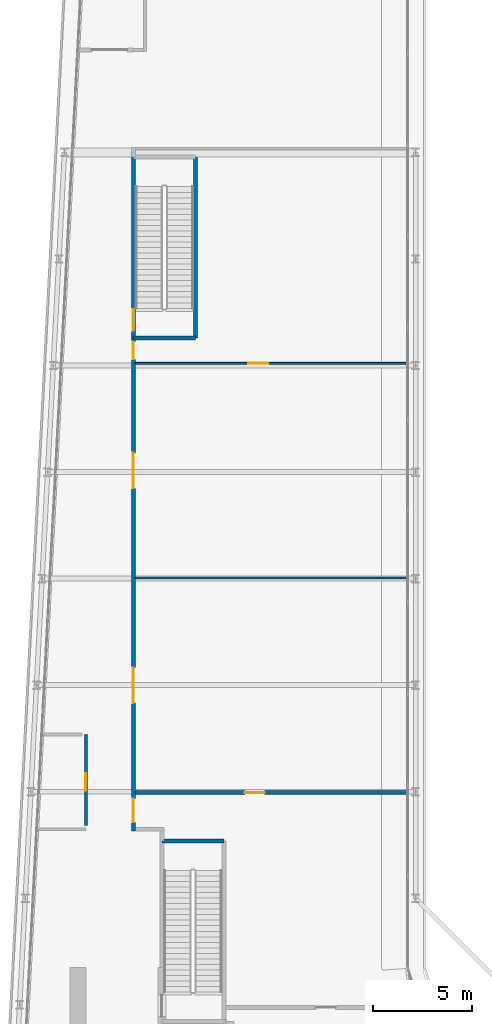
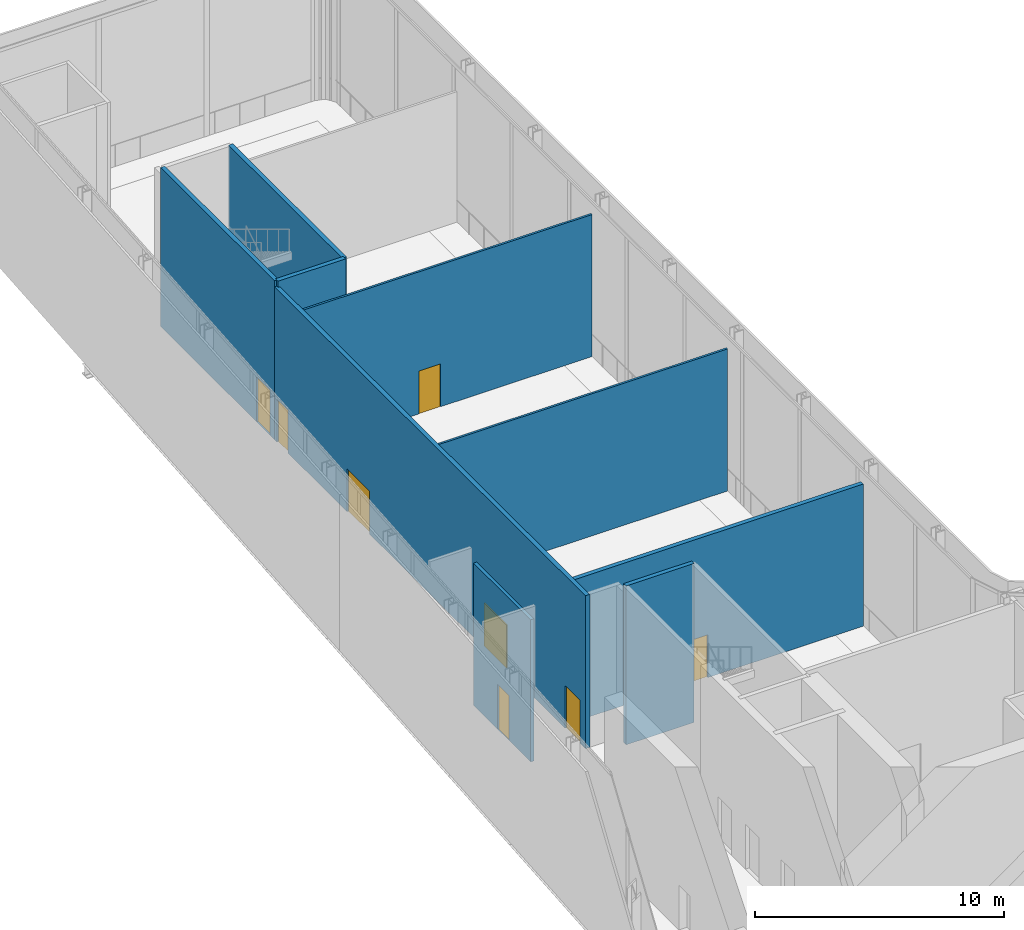
# One storey, part 28 of 37: 9 walls, 8 doors, 8 openings.
"""IFC4 building model written with IfcOpenShell, lengths in metres."""

from ifc_helpers import new_model, si_unit, direction, frame, frame_2d, origin, place, context, subcontext, project, spatial, rectangle, extrude, source, transform, mapped, material, layer, layer_set, type_object, element, fill, save


model = new_model("IFC4")

# Units and contexts
model_context = context("Model", 3, precision=1e-05, world=origin(), true_north=direction((0.0, 1.0)))
body_context = subcontext(model_context, "Body", "Model", "MODEL_VIEW")
ifc_project = project(units=[si_unit("LENGTHUNIT", "METRE"), si_unit("AREAUNIT", "SQUARE_METRE"), si_unit("VOLUMEUNIT", "CUBIC_METRE"), si_unit("PLANEANGLEUNIT", "RADIAN"), si_unit("MASSUNIT", "GRAM", prefix="KILO")], contexts=[model_context])

# Site, building, storey
site_placement = place(None, origin())
site = spatial("IfcSite", under=ifc_project, at=site_placement, CompositionType="ELEMENT")
building_placement = place(site_placement, origin())
building = spatial("IfcBuilding", under=site, at=building_placement, Name="Kheshtan School and Residences Tower", CompositionType="ELEMENT")
storey_placement = place(building_placement, frame((0.0, 0.0, 144.800048828125)))
storey = spatial("IfcBuildingStorey", under=building, at=storey_placement, Name="L34", CompositionType="ELEMENT", Elevation=144.800048828125)

# Wall, openings, doors
ifc_material_1 = material(Name="Gypsum board on steel studs with fire boards", Category="steel")
ifc_layer_1 = layer(ifc_material_1, 0.199951171875)
ifc_layer_set_1 = layer_set([ifc_layer_1], Name="Corridor wall 200")
wall_type_1 = type_object("IfcWallType", Name="Corridor wall 200", PredefinedType="PARTITIONING", material=ifc_layer_set_1)
wall_1_placement = place(storey_placement, frame((33.300048828125, 54.39990234375, 0.0), z_axis=(0.0, 0.0, 1.0), x_axis=(0.0, 1.0, 0.0)))
wall_1 = element("IfcWall", 1, at=wall_1_placement, inside=storey, type_object=wall_type_1, Name="Partition L34-003", PredefinedType="PARTITIONING", context=body_context, shape_type="SweptSolid", body=[
    extrude(rectangle(XDim=25.0, YDim=0.199951171875, at=frame_2d((12.5, 0.0))), origin(), (0.0, 0.0, 1.0), 7.5),
])
opening_1_placement = place(wall_1_placement, frame((0.449951171875, 0.0, 0.0)))
opening_1 = element("IfcOpeningElement", 2, at=opening_1_placement, cuts=wall_1, Name="Opening D34-007", PredefinedType="OPENING", context=body_context, shape_type="SweptSolid", body=[
    extrude(rectangle(XDim=1.199951171875, YDim=2.10009765625, at=frame_2d((0.60009765625, 1.050048828125))), frame((0.0, 0.10986328125, 0.0), z_axis=(0.0, -1.0, 0.0), x_axis=(1.0, 0.0, 0.0)), (0.0, 0.0, 1.0), 0.219970703125),
])
opening_2_placement = place(wall_1_placement, frame((6.492919921875, 0.0, 0.0)))
opening_2 = element("IfcOpeningElement", 3, at=opening_2_placement, cuts=wall_1, Name="Opening D34-010", PredefinedType="OPENING", context=body_context, shape_type="SweptSolid", body=[
    extrude(rectangle(XDim=1.800048828125, YDim=2.10009765625, at=frame_2d((0.89990234375, 1.050048828125))), frame((0.0, 0.10986328125, 0.0), z_axis=(0.0, -1.0, 0.0), x_axis=(1.0, 0.0, 0.0)), (0.0, 0.0, 1.0), 0.219970703125),
])
opening_3_placement = place(wall_1_placement, frame((17.3720703125, 0.0, 0.0)))
opening_3 = element("IfcOpeningElement", 4, at=opening_3_placement, cuts=wall_1, Name="Opening D34-011", PredefinedType="OPENING", context=body_context, shape_type="SweptSolid", body=[
    extrude(rectangle(XDim=1.800048828125, YDim=2.10009765625, at=frame_2d((0.89990234375, 1.050048828125))), frame((0.0, 0.10986328125, 0.0), z_axis=(0.0, -1.0, 0.0), x_axis=(1.0, 0.0, 0.0)), (0.0, 0.0, 1.0), 0.219970703125),
])
opening_4_placement = place(wall_1_placement, frame((23.912109375, 0.0, 0.0)))
opening_4 = element("IfcOpeningElement", 5, at=opening_4_placement, cuts=wall_1, Name="Opening D34-014", PredefinedType="OPENING", context=body_context, shape_type="SweptSolid", body=[
    extrude(rectangle(XDim=0.89990234375, YDim=2.10009765625, at=frame_2d((0.449951171875, 1.050048828125))), frame((0.0, 0.10986328125, 0.0), z_axis=(0.0, -1.0, 0.0), x_axis=(1.0, 0.0, 0.0)), (0.0, 0.0, 1.0), 0.219970703125),
])
ifc_material_2 = material(Name="Steel-framed fire-resisting door leaf", Category="steel")
door_type_1 = type_object("IfcDoorType", Name="Fire double door FD60 1800 x 2100", OperationType="DOUBLE_DOOR_SINGLE_SWING", PredefinedType="DOOR", material=ifc_material_2)
shared_shape_1 = source(origin(), body_context, "Body", "SweptSolid", [
    extrude(rectangle(XDim=1.800048828125, YDim=2.10009765625, at=frame_2d((0.89990234375, 1.050048828125))), frame((0.0, 0.02490234375, 0.0), z_axis=(0.0, -1.0, 0.0), x_axis=(1.0, 0.0, 0.0)), (0.0, 0.0, 1.0), 0.050048828125),
])
door_1_placement = place(opening_2_placement, origin())
door_1 = element("IfcDoor", 6, at=door_1_placement, inside=storey, type_object=door_type_1, Name="Door D34-010", OperationType="DOUBLE_DOOR_SINGLE_SWING", OverallHeight=2.10009765625, OverallWidth=1.800048828125, PredefinedType="DOOR", context=body_context, shape_type="MappedRepresentation", body=[
    mapped(shared_shape_1, transform((0.0, 0.0, 0.0), x_axis=(1.0, 0.0, 0.0), y_axis=(0.0, 1.0, 0.0), z_axis=(0.0, 0.0, 1.0), scale=1.0)),
])
fill(opening_2, door_1)
door_2_placement = place(opening_3_placement, origin())
door_2 = element("IfcDoor", 7, at=door_2_placement, inside=storey, type_object=door_type_1, Name="Door D34-011", OperationType="DOUBLE_DOOR_SINGLE_SWING", OverallHeight=2.10009765625, OverallWidth=1.800048828125, PredefinedType="DOOR", context=body_context, shape_type="MappedRepresentation", body=[
    mapped(shared_shape_1, transform((0.0, 0.0, 0.0), x_axis=(1.0, 0.0, 0.0), y_axis=(0.0, 1.0, 0.0), z_axis=(0.0, 0.0, 1.0), scale=1.0)),
])
fill(opening_3, door_2)
door_type_2 = type_object("IfcDoorType", Name="Fire door FD60 1200 x 2100", OperationType="SINGLE_SWING_LEFT", PredefinedType="DOOR", material=ifc_material_2)
shared_shape_2 = source(origin(), body_context, "Body", "SweptSolid", [
    extrude(rectangle(XDim=1.199951171875, YDim=2.10009765625, at=frame_2d((0.60009765625, 1.050048828125))), frame((0.0, 0.02490234375, 0.0), z_axis=(0.0, -1.0, 0.0), x_axis=(1.0, 0.0, 0.0)), (0.0, 0.0, 1.0), 0.050048828125),
])
door_3_placement = place(opening_1_placement, origin())
door_3 = element("IfcDoor", 8, at=door_3_placement, inside=storey, type_object=door_type_2, Name="Door D34-007", OperationType="SINGLE_SWING_LEFT", OverallHeight=2.10009765625, OverallWidth=1.199951171875, PredefinedType="DOOR", context=body_context, shape_type="MappedRepresentation", body=[
    mapped(shared_shape_2, transform((0.0, 0.0, 0.0), x_axis=(1.0, 0.0, 0.0), y_axis=(0.0, 1.0, 0.0), z_axis=(0.0, 0.0, 1.0), scale=1.0)),
])
fill(opening_1, door_3)
door_type_3 = type_object("IfcDoorType", Name="Fire door FD60 900 x 2100", OperationType="SINGLE_SWING_LEFT", PredefinedType="DOOR", material=ifc_material_2)
shared_shape_3 = source(origin(), body_context, "Body", "SweptSolid", [
    extrude(rectangle(XDim=0.89990234375, YDim=2.10009765625, at=frame_2d((0.449951171875, 1.050048828125))), frame((0.0, 0.02490234375, 0.0), z_axis=(0.0, -1.0, 0.0), x_axis=(1.0, 0.0, 0.0)), (0.0, 0.0, 1.0), 0.050048828125),
])
door_4_placement = place(opening_4_placement, origin())
door_4 = element("IfcDoor", 9, at=door_4_placement, inside=storey, type_object=door_type_3, Name="Door D34-014", OperationType="SINGLE_SWING_LEFT", OverallHeight=2.10009765625, OverallWidth=0.89990234375, PredefinedType="DOOR", context=body_context, shape_type="MappedRepresentation", body=[
    mapped(shared_shape_3, transform((0.0, 0.0, 0.0), x_axis=(1.0, 0.0, 0.0), y_axis=(0.0, 1.0, 0.0), z_axis=(0.0, 0.0, 1.0), scale=1.0)),
])
fill(opening_4, door_4)

# Wall, opening, door
wall_2_placement = place(storey_placement, frame((33.39990234375, 56.35302734375, 0.0), z_axis=(0.0, 0.0, 1.0), x_axis=(1.0, 0.0, 0.0)))
wall_2 = element("IfcWall", 10, at=wall_2_placement, inside=storey, type_object=wall_type_1, Name="Partition L34-007", PredefinedType="PARTITIONING", context=body_context, shape_type="SweptSolid", body=[
    extrude(rectangle(XDim=13.77001953125, YDim=0.199951171875, at=frame_2d((6.885009765625, 0.0))), origin(), (0.0, 0.0, 1.0), 6.971923828125),
])
opening_5_placement = place(wall_2_placement, frame((5.550048828125, 0.0, 0.0)))
opening_5 = element("IfcOpeningElement", 11, at=opening_5_placement, cuts=wall_2, Name="Opening D34-006", PredefinedType="OPENING", context=body_context, shape_type="SweptSolid", body=[
    extrude(rectangle(XDim=1.0, YDim=2.10009765625, at=frame_2d((0.5, 1.050048828125))), frame((0.0, 0.10986328125, 0.0), z_axis=(0.0, -1.0, 0.0), x_axis=(1.0, 0.0, 0.0)), (0.0, 0.0, 1.0), 0.219970703125),
])
door_type_4 = type_object("IfcDoorType", Name="Fire door FD60 1000 x 2100", OperationType="SINGLE_SWING_LEFT", PredefinedType="DOOR", material=ifc_material_2)
shared_shape_4 = source(origin(), body_context, "Body", "SweptSolid", [
    extrude(rectangle(XDim=1.0, YDim=2.10009765625, at=frame_2d((0.5, 1.050048828125))), frame((0.0, 0.02490234375, 0.0), z_axis=(0.0, -1.0, 0.0), x_axis=(1.0, 0.0, 0.0)), (0.0, 0.0, 1.0), 0.050048828125),
])
door_5_placement = place(opening_5_placement, origin())
door_5 = element("IfcDoor", 12, at=door_5_placement, inside=storey, type_object=door_type_4, Name="Door D34-006", OperationType="SINGLE_SWING_LEFT", OverallHeight=2.10009765625, OverallWidth=1.0, PredefinedType="DOOR", context=body_context, shape_type="MappedRepresentation", body=[
    mapped(shared_shape_4, transform((0.0, 0.0, 0.0), x_axis=(1.0, 0.0, 0.0), y_axis=(0.0, 1.0, 0.0), z_axis=(0.0, 0.0, 1.0), scale=1.0)),
])
fill(opening_5, door_5)

# Wall
ifc_material_3 = material(Name="Gypsum board on steel studs", Category="steel")
ifc_layer_2 = layer(ifc_material_3, 0.10009765625)
ifc_layer_set_2 = layer_set([ifc_layer_2], Name="Gypsum partition 100")
wall_type_2 = type_object("IfcWallType", Name="Gypsum partition 100", PredefinedType="PARTITIONING", material=ifc_layer_set_2)
wall_3_placement = place(storey_placement, frame((33.39990234375, 67.23193359375, 0.0), z_axis=(0.0, 0.0, 1.0), x_axis=(1.0, 0.0, 0.0)))
element("IfcWall", 13, at=wall_3_placement, inside=storey, type_object=wall_type_2, Name="Partition L34-008", PredefinedType="PARTITIONING", context=body_context, shape_type="SweptSolid", body=[
    extrude(rectangle(XDim=13.77001953125, YDim=0.10009765625, at=frame_2d((6.885009765625, 0.0))), origin(), (0.0, 0.0, 1.0), 6.971923828125),
])

# Wall, opening, door
wall_4_placement = place(storey_placement, frame((33.39990234375, 78.112060546875, 0.0), z_axis=(0.0, 0.0, 1.0), x_axis=(1.0, 0.0, 0.0)))
wall_4 = element("IfcWall", 14, at=wall_4_placement, inside=storey, type_object=wall_type_2, Name="Partition L34-009", PredefinedType="PARTITIONING", context=body_context, shape_type="SweptSolid", body=[
    extrude(rectangle(XDim=13.77001953125, YDim=0.10009765625, at=frame_2d((6.885009765625, 0.0))), origin(), (0.0, 0.0, 1.0), 6.971923828125),
])
opening_6_placement = place(wall_4_placement, frame((5.72998046875, 0.0, 0.0)))
opening_6 = element("IfcOpeningElement", 15, at=opening_6_placement, cuts=wall_4, Name="Opening D34-013", PredefinedType="OPENING", context=body_context, shape_type="SweptSolid", body=[
    extrude(rectangle(XDim=1.0, YDim=2.10009765625, at=frame_2d((0.5, 1.050048828125))), frame((0.0, 0.06005859375, 0.0), z_axis=(0.0, -1.0, 0.0), x_axis=(1.0, 0.0, 0.0)), (0.0, 0.0, 1.0), 0.1201171875),
])
ifc_material_4 = material(Name="Veneered timber door leaf", Category="wood")
door_type_5 = type_object("IfcDoorType", Name="Door 1000 x 2100", OperationType="SINGLE_SWING_LEFT", PredefinedType="DOOR", material=ifc_material_4)
shared_shape_5 = source(origin(), body_context, "Body", "SweptSolid", [
    extrude(rectangle(XDim=1.0, YDim=2.10009765625, at=frame_2d((0.5, 1.050048828125))), frame((0.0, 0.02490234375, 0.0), z_axis=(0.0, -1.0, 0.0), x_axis=(1.0, 0.0, 0.0)), (0.0, 0.0, 1.0), 0.050048828125),
])
door_6_placement = place(opening_6_placement, origin())
door_6 = element("IfcDoor", 16, at=door_6_placement, inside=storey, type_object=door_type_5, Name="Door D34-013", OperationType="SINGLE_SWING_LEFT", OverallHeight=2.10009765625, OverallWidth=1.0, PredefinedType="DOOR", context=body_context, shape_type="MappedRepresentation", body=[
    mapped(shared_shape_5, transform((0.0, 0.0, 0.0), x_axis=(1.0, 0.0, 0.0), y_axis=(0.0, 1.0, 0.0), z_axis=(0.0, 0.0, 1.0), scale=1.0)),
])
fill(opening_6, door_6)

ifc_material_5 = material(Name="Fire-board shaft wall system")
ifc_layer_3 = layer(ifc_material_5, 0.14990234375)
ifc_layer_set_3 = layer_set([ifc_layer_3], Name="Service room wall 150")
wall_type_3 = type_object("IfcWallType", Name="Service room wall 150", PredefinedType="PARTITIONING", material=ifc_layer_set_3)
wall_5_placement = place(storey_placement, frame((30.89990234375, 54.695068359375, 0.0), z_axis=(0.0, 0.0, 1.0), x_axis=(0.0, 1.0, 0.0)))
wall_5 = element("IfcWall", 17, at=wall_5_placement, inside=storey, type_object=wall_type_3, Name="Service room wall", PredefinedType="PARTITIONING", context=body_context, shape_type="SweptSolid", body=[
    extrude(rectangle(XDim=4.594970703125, YDim=0.14990234375, at=frame_2d((2.29736328125, 0.0))), origin(), (0.0, 0.0, 1.0), 6.971923828125),
])
opening_7_placement = place(wall_5_placement, frame((1.75, 0.0, 0.0)))
opening_7 = element("IfcOpeningElement", 18, at=opening_7_placement, cuts=wall_5, Name="Opening SR90", PredefinedType="OPENING", context=body_context, shape_type="SweptSolid", body=[
    extrude(rectangle(XDim=0.89990234375, YDim=2.199951171875, at=frame_2d((0.449951171875, 1.10009765625))), frame((0.0, 0.0849609375, 0.0), z_axis=(0.0, -1.0, 0.0), x_axis=(1.0, 0.0, 0.0)), (0.0, 0.0, 1.0), 0.169921875),
])
ifc_material_6 = material(Name="Steel door leaf, galvanised", Category="steel")
door_type_6 = type_object("IfcDoorType", Name="Service room door 900 steel 90 min", OperationType="SINGLE_SWING_LEFT", PredefinedType="DOOR", material=ifc_material_6)
shared_shape_6 = source(origin(), body_context, "Body", "SweptSolid", [
    extrude(rectangle(XDim=0.89990234375, YDim=2.199951171875, at=frame_2d((0.449951171875, 1.10009765625))), frame((0.0, 0.02490234375, 0.0), z_axis=(0.0, -1.0, 0.0), x_axis=(1.0, 0.0, 0.0)), (0.0, 0.0, 1.0), 0.050048828125),
])
door_7_placement = place(opening_7_placement, origin())
door_7 = element("IfcDoor", 19, at=door_7_placement, inside=storey, type_object=door_type_6, Name="Service room door", OperationType="SINGLE_SWING_RIGHT", OverallHeight=2.199951171875, OverallWidth=0.89990234375, PredefinedType="DOOR", context=body_context, shape_type="MappedRepresentation", body=[
    mapped(shared_shape_6, transform((0.0, 0.0, 0.0), x_axis=(1.0, 0.0, 0.0), y_axis=(0.0, 1.0, 0.0), z_axis=(0.0, 0.0, 1.0), scale=1.0)),
])
fill(opening_7, door_7)

# Walls
ifc_material_7 = material(Name="Concrete C40/50", Category="concrete")
ifc_layer_4 = layer(ifc_material_7, 0.199951171875)
ifc_layer_set_4 = layer_set([ifc_layer_4], Name="Stair enclosure wall 200 Concrete C40/50")
wall_type_4 = type_object("IfcWallType", Name="Stair enclosure wall 200 Concrete C40/50", PredefinedType="SHEAR", material=ifc_layer_set_4)
for number, where, z_axis, x_axis, name in (
    (20, (34.75, 53.909912109375, 0.0), (0.0, 0.0, 1.0), (1.0, 0.0, 0.0), "Stair enclosure wall ST2"),
    (21, (33.300048828125, 79.39990234375, 0.0), (0.0, 0.0, 1.0), (1.0, 0.0, 0.0), "Stair enclosure wall ST3"),
):
    element("IfcWall", number, at=place(storey_placement, frame(where, z_axis=z_axis, x_axis=x_axis)), inside=storey, type_object=wall_type_4, Name=name, PredefinedType="SHEAR", context=body_context, shape_type="SweptSolid", body=[
        extrude(rectangle(XDim=3.14990234375, YDim=0.199951171875, at=frame_2d((1.574951171875, 0.0))), origin(), (0.0, 0.0, 1.0), 7.800048828125),
    ])

# Wall, opening, door
wall_6_placement = place(storey_placement, frame((33.300048828125, 79.39990234375, 0.0), z_axis=(0.0, 0.0, 1.0), x_axis=(0.0, 1.0, 0.0)))
wall_6 = element("IfcWall", 22, at=wall_6_placement, inside=storey, type_object=wall_type_4, Name="Stair enclosure wall ST3", PredefinedType="SHEAR", context=body_context, shape_type="SweptSolid", body=[
    extrude(rectangle(XDim=9.16015625, YDim=0.199951171875, at=frame_2d((4.580078125, 0.0))), origin(), (0.0, 0.0, 1.0), 7.800048828125),
])
opening_8_placement = place(wall_6_placement, frame((0.35009765625, 0.0, 0.0)))
opening_8 = element("IfcOpeningElement", 23, at=opening_8_placement, cuts=wall_6, Name="Opening ST3D", PredefinedType="OPENING", context=body_context, shape_type="SweptSolid", body=[
    extrude(rectangle(XDim=1.10009765625, YDim=2.199951171875, at=frame_2d((0.550048828125, 1.10009765625))), frame((0.0, 0.10986328125, 0.0), z_axis=(0.0, -1.0, 0.0), x_axis=(1.0, 0.0, 0.0)), (0.0, 0.0, 1.0), 0.219970703125),
])
door_type_7 = type_object("IfcDoorType", Name="Stair door 1100 steel 90 min", OperationType="SINGLE_SWING_LEFT", PredefinedType="DOOR", material=ifc_material_6)
shared_shape_7 = source(origin(), body_context, "Body", "SweptSolid", [
    extrude(rectangle(XDim=1.10009765625, YDim=2.199951171875, at=frame_2d((0.550048828125, 1.10009765625))), frame((0.0, 0.02490234375, 0.0), z_axis=(0.0, -1.0, 0.0), x_axis=(1.0, 0.0, 0.0)), (0.0, 0.0, 1.0), 0.050048828125),
])
door_8_placement = place(opening_8_placement, origin())
door_8 = element("IfcDoor", 24, at=door_8_placement, inside=storey, type_object=door_type_7, Name="Stair ST3 door", OperationType="SINGLE_SWING_RIGHT", OverallHeight=2.199951171875, OverallWidth=1.10009765625, PredefinedType="DOOR", context=body_context, shape_type="MappedRepresentation", body=[
    mapped(shared_shape_7, transform((0.0, 0.0, 0.0), x_axis=(1.0, 0.0, 0.0), y_axis=(0.0, 1.0, 0.0), z_axis=(0.0, 0.0, 1.0), scale=1.0)),
])
fill(opening_8, door_8)

# Wall
wall_7_placement = place(storey_placement, frame((36.449951171875, 79.39990234375, 0.0), z_axis=(0.0, 0.0, 1.0), x_axis=(0.0, 1.0, 0.0)))
element("IfcWall", 25, at=wall_7_placement, inside=storey, type_object=wall_type_4, Name="Stair enclosure wall ST3", PredefinedType="SHEAR", context=body_context, shape_type="SweptSolid", body=[
    extrude(rectangle(XDim=9.16015625, YDim=0.199951171875, at=frame_2d((4.580078125, 0.0))), origin(), (0.0, 0.0, 1.0), 7.800048828125),
])

save(model, "model.ifc")
